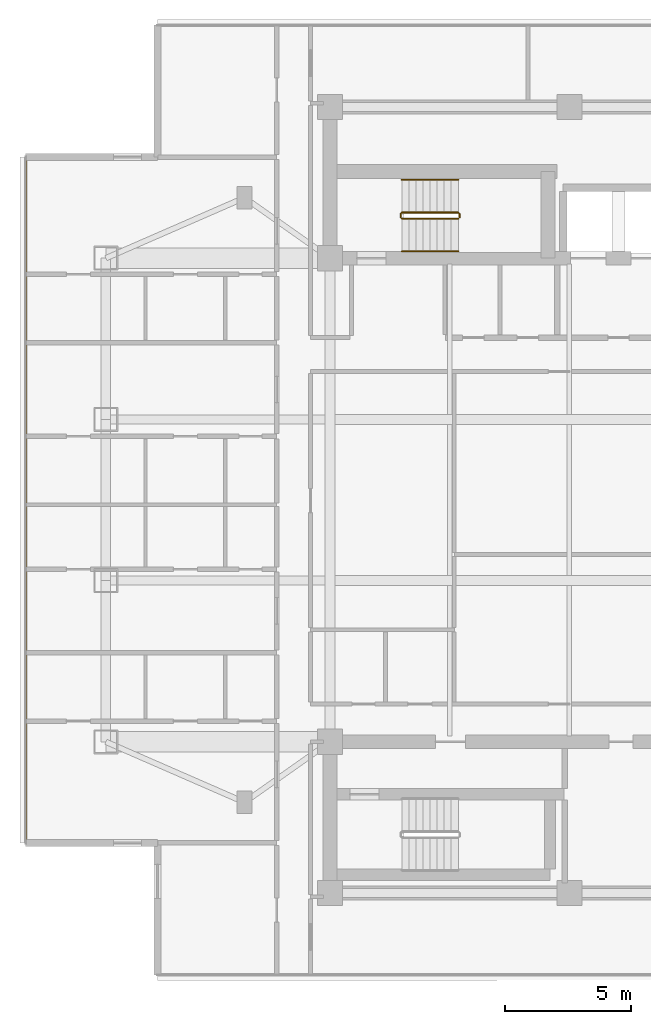
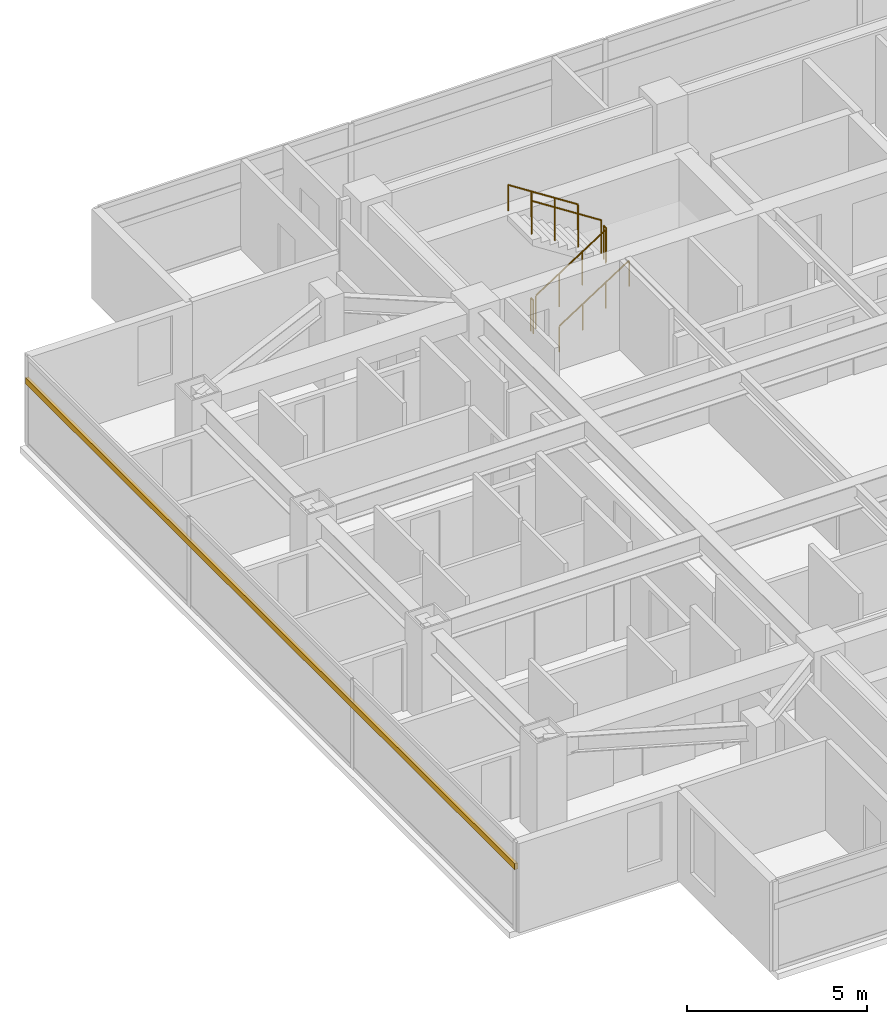
# One storey, part 21 of 25: 6 railings, 1 shading device.
"""IFC4 building model written with IfcOpenShell, lengths in metres."""

from ifc_helpers import new_model, si_unit, direction, frame, origin, origin_2d, place, context, subcontext, project, spatial, rectangle, circle, extrude, material, material_profile, profile_set, type_object, element, save


model = new_model("IFC4")

# Units and contexts
model_context = context("Model", 3, precision=1e-05, world=origin(), true_north=direction((0.0, 1.0)))
body_context = subcontext(model_context, "Body", "Model", "MODEL_VIEW")
ifc_project = project(units=[si_unit("LENGTHUNIT", "METRE"), si_unit("AREAUNIT", "SQUARE_METRE"), si_unit("VOLUMEUNIT", "CUBIC_METRE"), si_unit("PLANEANGLEUNIT", "RADIAN"), si_unit("MASSUNIT", "GRAM", prefix="KILO")], contexts=[model_context])

# Site, building, storey
site_placement = place(None, origin())
site = spatial("IfcSite", under=ifc_project, at=site_placement, CompositionType="ELEMENT")
building_placement = place(site_placement, origin())
building = spatial("IfcBuilding", under=site, at=building_placement, Name="Mirazonda Arch Towers", CompositionType="ELEMENT")
storey_placement = place(building_placement, frame((0.0, 0.0, 177.14990234375)))
storey = spatial("IfcBuildingStorey", under=building, at=storey_placement, Name="L50", CompositionType="ELEMENT", Elevation=177.14990234375)

# Shading device
ifc_material_1 = material(Name="Kiln-Fired Architectural Terracotta", Category="masonry")
ifc_material_profile = material_profile(ifc_material_1, rectangle(XDim=0.10009765625, YDim=0.199951171875, at=origin_2d()), Name="TERRA-BAG-100x200")
ifc_profile_set = profile_set([ifc_material_profile], Name="Kiln-Fired Architectural Terracotta")
shading_device_type = type_object("IfcShadingDeviceType", Name="BAGUETTE-2", PredefinedType="USERDEFINED", material=ifc_profile_set)
shading_device_placement = place(storey_placement, frame((-1.090087890625, 41.611083984375, 2.181640625), z_axis=(0.0, -1.0, 0.0), x_axis=(1.0, 0.0, 0.0)))
element("IfcShadingDevice", 1, at=shading_device_placement, inside=storey, type_object=shading_device_type, Name="L50 Glazed Terracotta Sun-Screen Baguette CW-L50-T1-W", ObjectType="BAGUETTE", PredefinedType="USERDEFINED", context=body_context, shape_type="SweptSolid", body=[
    extrude(rectangle(XDim=0.10009765625, YDim=0.199951171875, at=origin_2d()), origin(), (0.0, 0.0, 1.0), 27.22216796875),
])

# Railings
ifc_material_2 = material(Name="Architectural Brushed Steel S355", Category="steel")
railing_type_1 = type_object("IfcRailingType", Name="GUARD-STAIR-1120", PredefinedType="GUARDRAIL", material=ifc_material_2)
railing_1_placement = place(storey_placement, frame((13.85009765625, 39.169921875, 0.1806640625)))
element("IfcRailing", 2, at=railing_1_placement, inside=storey, type_object=railing_type_1, Name="L50 ST-T1N stair guard 1", PredefinedType="GUARDRAIL", context=body_context, shape_type="SweptSolid", body=[
    extrude(circle(Radius=0.02392578125, at=origin_2d()), frame((0.0, 0.0, 1.1259765625), z_axis=(0.840436612492, 0.0, 0.541909863706), x_axis=(0.0, 1.0, 0.0)), (0.0, 0.0, 1.0), 2.665283203125),
    extrude(circle(Radius=0.02099609375, at=origin_2d()), origin(), (0.0, 0.0, 1.0), 1.101806640625),
    extrude(circle(Radius=0.02099609375, at=origin_2d()), frame((0.74658203125, 0.0, 0.4814453125)), (0.0, 0.0, 1.0), 1.101806640625),
    extrude(circle(Radius=0.02099609375, at=origin_2d()), frame((1.493408203125, 0.0, 0.962890625)), (0.0, 0.0, 1.0), 1.101806640625),
    extrude(circle(Radius=0.02099609375, at=origin_2d()), frame((2.239990234375, 0.0, 1.4443359375)), (0.0, 0.0, 1.0), 1.101806640625),
])
railing_2_placement = place(storey_placement, frame((16.139892578125, 39.219970703125, 1.625)))
element("IfcRailing", 3, at=railing_2_placement, inside=storey, type_object=railing_type_1, Name="L50 ST-T1N stair guard 2", PredefinedType="GUARDRAIL", context=body_context, shape_type="SweptSolid", body=[
    extrude(circle(Radius=0.02392578125, at=origin_2d()), frame((0.0, 0.0, 1.1259765625), z_axis=(0.0, 1.0, 0.0), x_axis=(-1.0, 0.0, 0.0)), (0.0, 0.0, 1.0), 0.14013671875),
    extrude(circle(Radius=0.02099609375, at=origin_2d()), origin(), (0.0, 0.0, 1.0), 1.101806640625),
    extrude(circle(Radius=0.02099609375, at=origin_2d()), frame((0.0, 0.14013671875, 0.0)), (0.0, 0.0, 1.0), 1.101806640625),
])
railing_3_placement = place(storey_placement, frame((16.090087890625, 39.409912109375, 1.8056640625)))
element("IfcRailing", 4, at=railing_3_placement, inside=storey, type_object=railing_type_1, Name="L50 ST-T1N stair guard 3", PredefinedType="GUARDRAIL", context=body_context, shape_type="SweptSolid", body=[
    extrude(circle(Radius=0.02392578125, at=origin_2d()), frame((0.0, 0.0, 1.1259765625), z_axis=(-0.840436612492, 0.0, 0.541909863706), x_axis=(0.0, -1.0, 0.0)), (0.0, 0.0, 1.0), 2.665283203125),
    extrude(circle(Radius=0.02099609375, at=origin_2d()), origin(), (0.0, 0.0, 1.0), 1.101806640625),
    extrude(circle(Radius=0.02099609375, at=origin_2d()), frame((-0.74658203125, 0.0, 0.4814453125)), (0.0, 0.0, 1.0), 1.101806640625),
    extrude(circle(Radius=0.02099609375, at=origin_2d()), frame((-1.493408203125, 0.0, 0.962890625)), (0.0, 0.0, 1.0), 1.101806640625),
    extrude(circle(Radius=0.02099609375, at=origin_2d()), frame((-2.239990234375, 0.0, 1.4443359375)), (0.0, 0.0, 1.0), 1.101806640625),
])
railing_4_placement = place(storey_placement, frame((13.800048828125, 39.219970703125, 0.0)))
element("IfcRailing", 5, at=railing_4_placement, inside=storey, type_object=railing_type_1, Name="L50 ST-T1N stair guard 4", PredefinedType="GUARDRAIL", context=body_context, shape_type="SweptSolid", body=[
    extrude(circle(Radius=0.02392578125, at=origin_2d()), frame((0.0, 0.0, 1.1259765625), z_axis=(0.0, 1.0, 0.0), x_axis=(-1.0, 0.0, 0.0)), (0.0, 0.0, 1.0), 0.14013671875),
    extrude(circle(Radius=0.02099609375, at=origin_2d()), origin(), (0.0, 0.0, 1.0), 1.101806640625),
    extrude(circle(Radius=0.02099609375, at=origin_2d()), frame((0.0, 0.14013671875, 0.0)), (0.0, 0.0, 1.0), 1.101806640625),
])
railing_type_2 = type_object("IfcRailingType", Name="HANDRAIL-915", PredefinedType="HANDRAIL", material=ifc_material_2)
railing_5_placement = place(storey_placement, frame((13.85009765625, 37.8701171875, 0.1806640625)))
element("IfcRailing", 6, at=railing_5_placement, inside=storey, type_object=railing_type_2, Name="L50 ST-T1N stair handrail 1", PredefinedType="HANDRAIL", context=body_context, shape_type="SweptSolid", body=[
    extrude(circle(Radius=0.02392578125, at=origin_2d()), frame((0.0, 0.0, 0.8759765625), z_axis=(0.840436612492, 0.0, 0.541909863706), x_axis=(0.0, 1.0, 0.0)), (0.0, 0.0, 1.0), 2.665283203125),
    extrude(circle(Radius=0.02099609375, at=origin_2d()), origin(), (0.0, 0.0, 1.0), 0.851806640625),
    extrude(circle(Radius=0.02099609375, at=origin_2d()), frame((0.74658203125, 0.0, 0.4814453125)), (0.0, 0.0, 1.0), 0.851806640625),
    extrude(circle(Radius=0.02099609375, at=origin_2d()), frame((1.493408203125, 0.0, 0.962890625)), (0.0, 0.0, 1.0), 0.851806640625),
    extrude(circle(Radius=0.02099609375, at=origin_2d()), frame((2.239990234375, 0.0, 1.4443359375)), (0.0, 0.0, 1.0), 0.851806640625),
])
railing_6_placement = place(storey_placement, frame((16.090087890625, 40.7099609375, 1.8056640625)))
element("IfcRailing", 7, at=railing_6_placement, inside=storey, type_object=railing_type_2, Name="L50 ST-T1N stair handrail 2", PredefinedType="HANDRAIL", context=body_context, shape_type="SweptSolid", body=[
    extrude(circle(Radius=0.02392578125, at=origin_2d()), frame((0.0, 0.0, 0.8759765625), z_axis=(-0.840436612492, 0.0, 0.541909863706), x_axis=(0.0, -1.0, 0.0)), (0.0, 0.0, 1.0), 2.665283203125),
    extrude(circle(Radius=0.02099609375, at=origin_2d()), origin(), (0.0, 0.0, 1.0), 0.851806640625),
    extrude(circle(Radius=0.02099609375, at=origin_2d()), frame((-0.74658203125, 0.0, 0.4814453125)), (0.0, 0.0, 1.0), 0.851806640625),
    extrude(circle(Radius=0.02099609375, at=origin_2d()), frame((-1.493408203125, 0.0, 0.962890625)), (0.0, 0.0, 1.0), 0.851806640625),
    extrude(circle(Radius=0.02099609375, at=origin_2d()), frame((-2.239990234375, 0.0, 1.4443359375)), (0.0, 0.0, 1.0), 0.851806640625),
])

save(model, "model.ifc")
